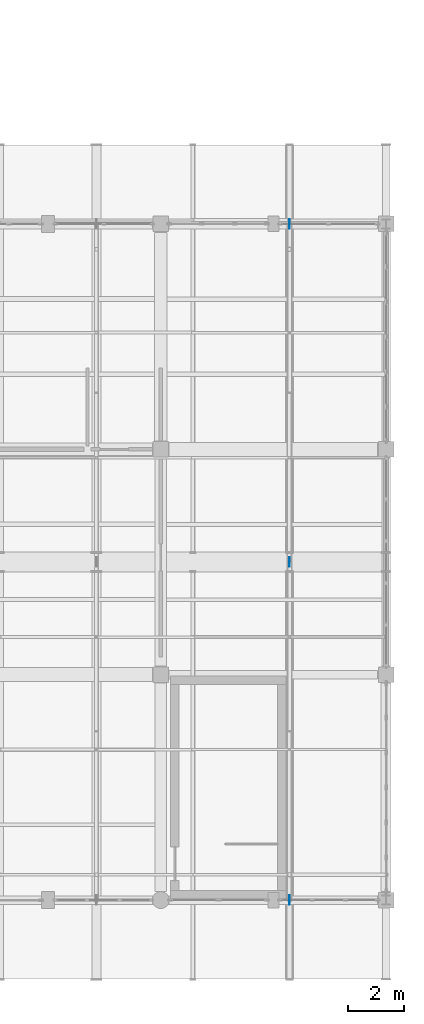
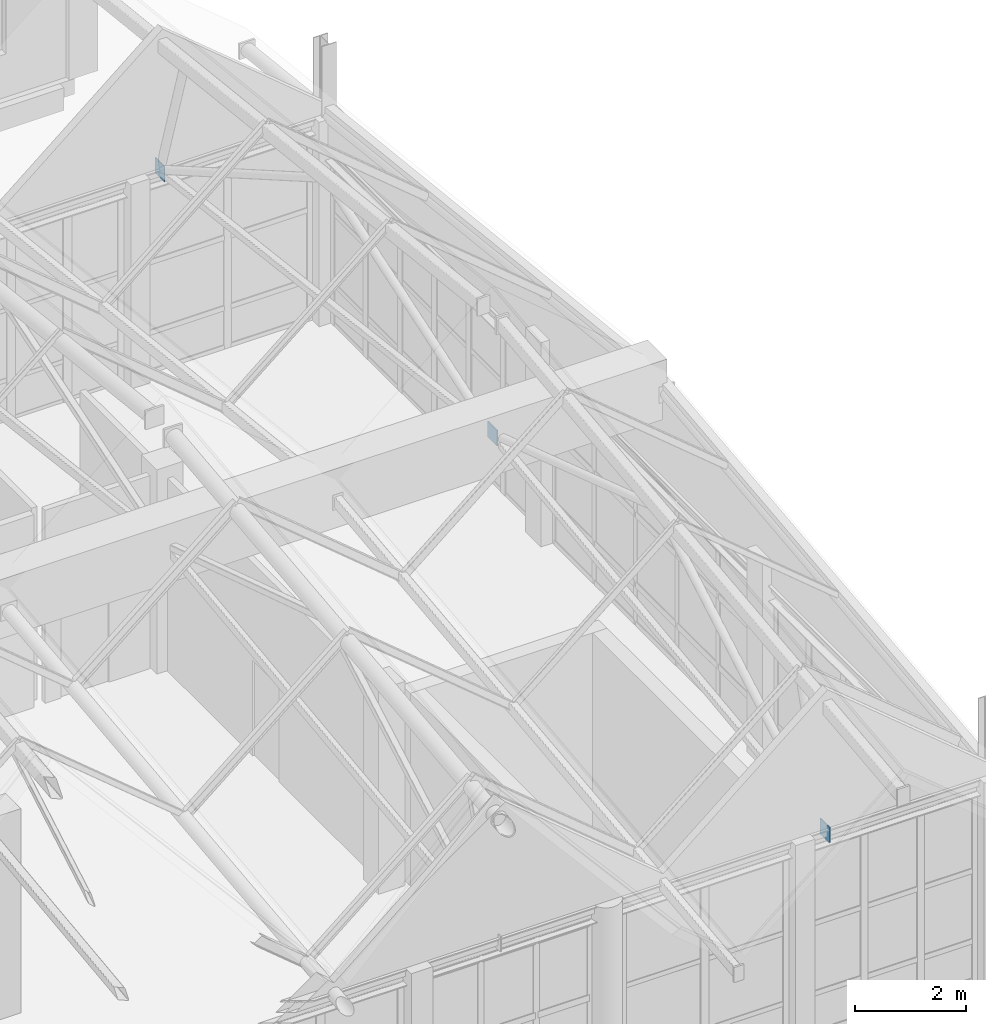
# One storey, part 139 of 183: 3 plates.
"""IFC4 building model written with IfcOpenShell, lengths in metres."""

from ifc_helpers import new_model, si_unit, direction, frame, origin, origin_2d, place, context, subcontext, project, spatial, rectangle, extrude, material, layer, layer_set, type_object, element, save


model = new_model("IFC4")

# Units and contexts
model_context = context("Model", 3, precision=1e-05, world=origin(), true_north=direction((0.0, 1.0)))
body_context = subcontext(model_context, "Body", "Model", "MODEL_VIEW")
ifc_project = project(units=[si_unit("LENGTHUNIT", "METRE"), si_unit("AREAUNIT", "SQUARE_METRE"), si_unit("VOLUMEUNIT", "CUBIC_METRE"), si_unit("PLANEANGLEUNIT", "RADIAN"), si_unit("MASSUNIT", "GRAM", prefix="KILO")], contexts=[model_context])

# Site, building, storey
site_placement = place(None, origin())
site = spatial("IfcSite", under=ifc_project, at=site_placement, CompositionType="ELEMENT")
building_placement = place(site_placement, origin())
building = spatial("IfcBuilding", under=site, at=building_placement, Name="Luwemba Playhouse", CompositionType="ELEMENT")
storey_placement = place(building_placement, frame((0.0, 0.0, 4.800048828125)))
storey = spatial("IfcBuildingStorey", under=building, at=storey_placement, Name="L01", CompositionType="ELEMENT", Elevation=4.800048828125)

# Plates
ifc_material = material(Name="Steel S355", Category="steel")
ifc_layer_1 = layer(ifc_material, 0.01611328125)
ifc_layer_set_1 = layer_set([ifc_layer_1], Name="Steel S355")
plate_type_1 = type_object("IfcPlateType", Name="PLT-GP1", PredefinedType="USERDEFINED", material=ifc_layer_set_1)
plate_1_placement = place(storey_placement, frame((168.5712890625, 27.0, 4.22998046875), z_axis=(0.0, 0.0, 1.0), x_axis=(1.0, 0.0, 0.0)))
element("IfcPlate", 1, at=plate_1_placement, inside=storey, type_object=plate_type_1, Name="Truss node gusset cap plate 0153", ObjectType="GUSSET PLATE", PredefinedType="USERDEFINED", context=body_context, shape_type="SweptSolid", body=[
    extrude(rectangle(XDim=0.01611328125, YDim=0.340087890625, at=origin_2d()), origin(), (0.0, 0.0, 1.0), 0.340087890625),
])
ifc_layer_2 = layer(ifc_material, 0.02001953125)
ifc_layer_set_2 = layer_set([ifc_layer_2], Name="Steel S355")
plate_type_2 = type_object("IfcPlateType", Name="PLT-GP2", PredefinedType="USERDEFINED", material=ifc_layer_set_2)
plate_2_placement = place(storey_placement, frame((168.5712890625, 3.0, 4.22998046875), z_axis=(0.0, 0.0, 1.0), x_axis=(1.0, 0.0, 0.0)))
element("IfcPlate", 2, at=plate_2_placement, inside=storey, type_object=plate_type_2, Name="Truss node gusset cap plate 0151", ObjectType="GUSSET PLATE", PredefinedType="USERDEFINED", context=body_context, shape_type="SweptSolid", body=[
    extrude(rectangle(XDim=0.02001953125, YDim=0.340087890625, at=origin_2d()), origin(), (0.0, 0.0, 1.0), 0.340087890625),
])
ifc_layer_3 = layer(ifc_material, 0.02490234375)
ifc_layer_set_3 = layer_set([ifc_layer_3], Name="Steel S355")
plate_type_3 = type_object("IfcPlateType", Name="PLT-GP3", PredefinedType="USERDEFINED", material=ifc_layer_set_3)
plate_3_placement = place(storey_placement, frame((168.5712890625, 15.0, 5.69384765625), z_axis=(0.0, 0.0, 1.0), x_axis=(1.0, 0.0, 0.0)))
element("IfcPlate", 3, at=plate_3_placement, inside=storey, type_object=plate_type_3, Name="Truss node gusset cap plate 0152", ObjectType="GUSSET PLATE", PredefinedType="USERDEFINED", context=body_context, shape_type="SweptSolid", body=[
    extrude(rectangle(XDim=0.02490234375, YDim=0.340087890625, at=origin_2d()), origin(), (0.0, 0.0, 1.0), 0.340087890625),
])

save(model, "model.ifc")
